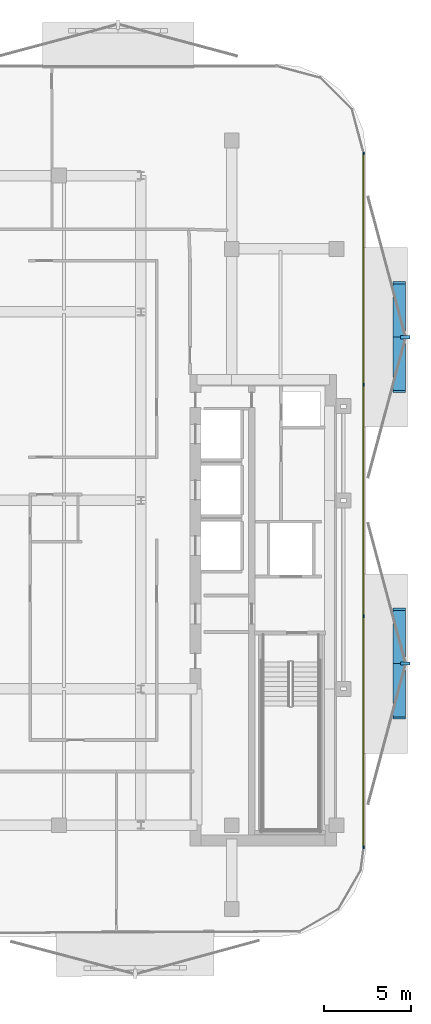
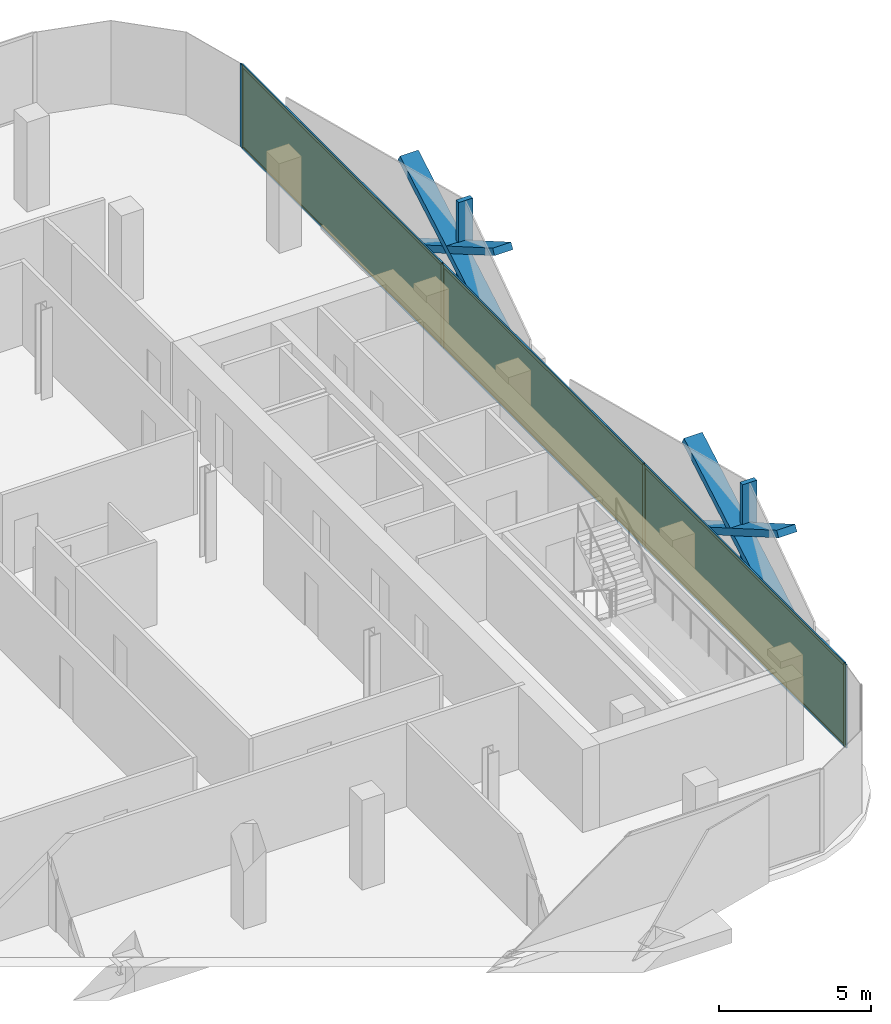
# One storey, part 9 of 14: 16 members, 3 plates, 1 curtain wall.
"""IFC4 building model written with IfcOpenShell, lengths in metres."""

from ifc_helpers import new_model, si_unit, direction, frame, frame_2d, origin, origin_2d, place, context, subcontext, project, spatial, rectangle, extrude, material, layer, layer_set, material_profile, profile_set, type_object, element, aggregate, save


model = new_model("IFC4")

# Units and contexts
model_context = context("Model", 3, precision=1e-05, world=origin(), true_north=direction((0.0, 1.0)))
body_context = subcontext(model_context, "Body", "Model", "MODEL_VIEW")
ifc_project = project(units=[si_unit("LENGTHUNIT", "METRE"), si_unit("AREAUNIT", "SQUARE_METRE"), si_unit("VOLUMEUNIT", "CUBIC_METRE"), si_unit("PLANEANGLEUNIT", "RADIAN"), si_unit("MASSUNIT", "GRAM", prefix="KILO")], contexts=[model_context])

# Member
ifc_material_1 = material(Name="Anodised Bronze Aluminium 6063-T6", Category="aluminium")
ifc_material_profile_1 = material_profile(ifc_material_1, rectangle(XDim=0.260009765625, YDim=0.699951171875, at=origin_2d()))
ifc_profile_set_1 = profile_set([ifc_material_profile_1], Name="Anodised Bronze Aluminium 6063-T6")
member_type_1 = type_object("IfcMemberType", Name="Bronze Diamond Solar-Screen Lattice Rib BDL-700", PredefinedType="MULLION", material=ifc_profile_set_1)
site_placement = place(None, origin())
building_placement = place(site_placement, origin())
storey_placement = place(building_placement, frame((0.0, 0.0, 236.800048828125)))
member_1_placement = place(storey_placement, frame((24.0, 12.46044921875, -0.130126953125), z_axis=(0.0, -0.865840250196, 0.500320558383), x_axis=(0.0, -0.500320558383, -0.865840250196)))
member_1 = element("IfcMember", 1, at=member_1_placement, type_object=member_type_1, Name="L55 Bronze Diamond Solar Screen Lattice Rib 375A", PredefinedType="MULLION", context=body_context, shape_type="SweptSolid", body=[
    extrude(rectangle(XDim=0.260009765625, YDim=0.699951171875, at=origin_2d()), origin(), (0.0, 0.0, 1.0), 7.195556640625),
])

member_2_placement = place(storey_placement, frame((24.0, 6.230224609375, -0.130126953125), z_axis=(0.0, 0.865840250196, 0.500320558383), x_axis=(0.0, 0.500320558383, -0.865840250196)))
member_2 = element("IfcMember", 2, at=member_2_placement, type_object=member_type_1, Name="L55 Bronze Diamond Solar Screen Lattice Rib 375B", PredefinedType="MULLION", context=body_context, shape_type="SweptSolid", body=[
    extrude(rectangle(XDim=0.260009765625, YDim=0.699951171875, at=origin_2d()), origin(), (0.0, 0.0, 1.0), 7.195556640625),
])

member_3_placement = place(storey_placement, frame((24.0, -6.230224609375, -0.130126953125), z_axis=(0.0, -0.865840250196, 0.500320558383), x_axis=(0.0, -0.500320558383, -0.865840250196)))
member_3 = element("IfcMember", 3, at=member_3_placement, type_object=member_type_1, Name="L55 Bronze Diamond Solar Screen Lattice Rib 376A", PredefinedType="MULLION", context=body_context, shape_type="SweptSolid", body=[
    extrude(rectangle(XDim=0.260009765625, YDim=0.699951171875, at=origin_2d()), origin(), (0.0, 0.0, 1.0), 7.195556640625),
])

member_4_placement = place(storey_placement, frame((24.0, -12.46044921875, -0.130126953125), z_axis=(0.0, 0.865840250196, 0.500320558383), x_axis=(0.0, 0.500320558383, -0.865840250196)))
member_4 = element("IfcMember", 4, at=member_4_placement, type_object=member_type_1, Name="L55 Bronze Diamond Solar Screen Lattice Rib 376B", PredefinedType="MULLION", context=body_context, shape_type="SweptSolid", body=[
    extrude(rectangle(XDim=0.260009765625, YDim=0.699951171875, at=origin_2d()), origin(), (0.0, 0.0, 1.0), 7.195556640625),
])

ifc_material_2 = material(Name="Anodised Bronze Aluminium 6063-T6", Category="aluminium")
ifc_material_profile_2 = material_profile(ifc_material_2, rectangle(XDim=0.179931640625, YDim=0.5400390625, at=origin_2d()))
ifc_profile_set_2 = profile_set([ifc_material_profile_2], Name="Anodised Bronze Aluminium 6063-T6")
member_type_2 = type_object("IfcMemberType", Name="Bronze Solar-Screen Vertical Fold Fin BSF-540", PredefinedType="MULLION", material=ifc_profile_set_2)
member_5_placement = place(storey_placement, frame((24.340087890625, 9.345458984375, -0.130126953125), z_axis=(0.0, 0.0, 1.0), x_axis=(0.0, -1.0, 0.0)))
member_5 = element("IfcMember", 5, at=member_5_placement, type_object=member_type_2, Name="L55 Bronze Solar Screen Vertical Fin 375", PredefinedType="MULLION", context=body_context, shape_type="SweptSolid", body=[
    extrude(rectangle(XDim=0.179931640625, YDim=0.5400390625, at=origin_2d()), origin(), (0.0, 0.0, 1.0), 3.60009765625),
])

member_6_placement = place(storey_placement, frame((24.340087890625, -9.345458984375, -0.130126953125), z_axis=(0.0, 0.0, 1.0), x_axis=(0.0, -1.0, 0.0)))
member_6 = element("IfcMember", 6, at=member_6_placement, type_object=member_type_2, Name="L55 Bronze Solar Screen Vertical Fin 376", PredefinedType="MULLION", context=body_context, shape_type="SweptSolid", body=[
    extrude(rectangle(XDim=0.179931640625, YDim=0.5400390625, at=origin_2d()), origin(), (0.0, 0.0, 1.0), 3.60009765625),
])

ifc_material_3 = material(Name="Anodised Bronze Aluminium 6063-T6", Category="aluminium")
ifc_material_profile_3 = material_profile(ifc_material_3, rectangle(XDim=0.06005859375, YDim=0.159912109375, at=origin_2d()))
ifc_profile_set_3 = profile_set([ifc_material_profile_3], Name="Anodised Bronze Aluminium 6063-T6")
member_type_3 = type_object("IfcMemberType", Name="CW-Z4 Mullion 60x160", PredefinedType="MULLION", material=ifc_profile_set_3)
member_7_placement = place(storey_placement, frame((21.9599609375, 19.86083984375, 0.0), z_axis=(0.0, 0.0, 1.0), x_axis=(1.0, 0.0, 0.0)))
member_7 = element("IfcMember", 7, at=member_7_placement, type_object=member_type_3, Name="CW-Z4 mullion 1", PredefinedType="MULLION", context=body_context, shape_type="SweptSolid", body=[
    extrude(rectangle(XDim=0.06005859375, YDim=0.159912109375, at=origin_2d()), origin(), (0.0, 0.0, 1.0), 3.33984375),
])

member_8_placement = place(storey_placement, frame((21.9599609375, 6.63037109375, 0.0), z_axis=(0.0, 0.0, 1.0), x_axis=(1.0, 0.0, 0.0)))
member_8 = element("IfcMember", 8, at=member_8_placement, type_object=member_type_3, Name="CW-Z4 mullion 2", PredefinedType="MULLION", context=body_context, shape_type="SweptSolid", body=[
    extrude(rectangle(XDim=0.06005859375, YDim=0.159912109375, at=origin_2d()), origin(), (0.0, 0.0, 1.0), 3.33984375),
])

member_9_placement = place(storey_placement, frame((21.9599609375, -6.63037109375, 0.0), z_axis=(0.0, 0.0, 1.0), x_axis=(1.0, 0.0, 0.0)))
member_9 = element("IfcMember", 9, at=member_9_placement, type_object=member_type_3, Name="CW-Z4 mullion 3", PredefinedType="MULLION", context=body_context, shape_type="SweptSolid", body=[
    extrude(rectangle(XDim=0.06005859375, YDim=0.159912109375, at=origin_2d()), origin(), (0.0, 0.0, 1.0), 3.33984375),
])

member_10_placement = place(storey_placement, frame((21.9599609375, -19.86083984375, 0.0), z_axis=(0.0, 0.0, 1.0), x_axis=(1.0, 0.0, 0.0)))
member_10 = element("IfcMember", 10, at=member_10_placement, type_object=member_type_3, Name="CW-Z4 mullion 4", PredefinedType="MULLION", context=body_context, shape_type="SweptSolid", body=[
    extrude(rectangle(XDim=0.06005859375, YDim=0.159912109375, at=origin_2d()), origin(), (0.0, 0.0, 1.0), 3.33984375),
])

ifc_material_4 = material(Name="Anodised Bronze Aluminium 6063-T6", Category="aluminium")
ifc_material_profile_4 = material_profile(ifc_material_4, rectangle(XDim=0.06005859375, YDim=0.125, at=origin_2d()))
ifc_profile_set_4 = profile_set([ifc_material_profile_4], Name="Anodised Bronze Aluminium 6063-T6")
member_type_4 = type_object("IfcMemberType", Name="CW-Z4 Transom 60x125", PredefinedType="USERDEFINED", material=ifc_profile_set_4)
member_11_placement = place(storey_placement, frame((21.9599609375, 19.830810546875, 0.030029296875), z_axis=(0.0, -1.0, 0.0), x_axis=(1.0, 0.0, 0.0)))
member_11 = element("IfcMember", 11, at=member_11_placement, type_object=member_type_4, Name="CW-Z4 transom 1.1", ObjectType="TRANSOM", PredefinedType="USERDEFINED", context=body_context, shape_type="SweptSolid", body=[
    extrude(rectangle(XDim=0.06005859375, YDim=0.125, at=origin_2d()), origin(), (0.0, 0.0, 1.0), 13.170654296875),
])

member_12_placement = place(storey_placement, frame((21.9599609375, 19.830810546875, 3.31005859375), z_axis=(0.0, -1.0, 0.0), x_axis=(1.0, 0.0, 0.0)))
member_12 = element("IfcMember", 12, at=member_12_placement, type_object=member_type_4, Name="CW-Z4 transom 1.2", ObjectType="TRANSOM", PredefinedType="USERDEFINED", context=body_context, shape_type="SweptSolid", body=[
    extrude(rectangle(XDim=0.06005859375, YDim=0.125, at=origin_2d()), origin(), (0.0, 0.0, 1.0), 13.170654296875),
])

member_13_placement = place(storey_placement, frame((21.9599609375, 6.600341796875, 0.030029296875), z_axis=(0.0, -1.0, 0.0), x_axis=(1.0, 0.0, 0.0)))
member_13 = element("IfcMember", 13, at=member_13_placement, type_object=member_type_4, Name="CW-Z4 transom 2.1", ObjectType="TRANSOM", PredefinedType="USERDEFINED", context=body_context, shape_type="SweptSolid", body=[
    extrude(rectangle(XDim=0.06005859375, YDim=0.125, at=origin_2d()), origin(), (0.0, 0.0, 1.0), 13.20068359375),
])

member_14_placement = place(storey_placement, frame((21.9599609375, 6.600341796875, 3.31005859375), z_axis=(0.0, -1.0, 0.0), x_axis=(1.0, 0.0, 0.0)))
member_14 = element("IfcMember", 14, at=member_14_placement, type_object=member_type_4, Name="CW-Z4 transom 2.2", ObjectType="TRANSOM", PredefinedType="USERDEFINED", context=body_context, shape_type="SweptSolid", body=[
    extrude(rectangle(XDim=0.06005859375, YDim=0.125, at=origin_2d()), origin(), (0.0, 0.0, 1.0), 13.20068359375),
])

member_15_placement = place(storey_placement, frame((21.9599609375, -6.66015625, 0.030029296875), z_axis=(0.0, -1.0, 0.0), x_axis=(1.0, 0.0, 0.0)))
member_15 = element("IfcMember", 15, at=member_15_placement, type_object=member_type_4, Name="CW-Z4 transom 3.1", ObjectType="TRANSOM", PredefinedType="USERDEFINED", context=body_context, shape_type="SweptSolid", body=[
    extrude(rectangle(XDim=0.06005859375, YDim=0.125, at=origin_2d()), origin(), (0.0, 0.0, 1.0), 13.170654296875),
])

member_16_placement = place(storey_placement, frame((21.9599609375, -6.66015625, 3.31005859375), z_axis=(0.0, -1.0, 0.0), x_axis=(1.0, 0.0, 0.0)))
member_16 = element("IfcMember", 16, at=member_16_placement, type_object=member_type_4, Name="CW-Z4 transom 3.2", ObjectType="TRANSOM", PredefinedType="USERDEFINED", context=body_context, shape_type="SweptSolid", body=[
    extrude(rectangle(XDim=0.06005859375, YDim=0.125, at=origin_2d()), origin(), (0.0, 0.0, 1.0), 13.170654296875),
])

# Plate
ifc_material_5 = material(Name="Low-E Solar Control Laminated Glass", Category="glass")
ifc_layer_1 = layer(ifc_material_5, 0.030029296875, Name="Low-E Solar Control Laminated Glass")
ifc_layer_set_1 = layer_set([ifc_layer_1], Name="Low-E Solar Control Laminated Glass")
plate_type = type_object("IfcPlateType", Name="CW-Z4 Low-E Double Glazed Panel 30mm", PredefinedType="CURTAIN_PANEL", material=ifc_layer_set_1)
plate_1_placement = place(storey_placement, frame((21.9599609375, 13.24560546875, 0.06005859375), z_axis=(0.0, 0.0, 1.0), x_axis=(0.0, -1.0, 0.0)))
plate_1 = element("IfcPlate", 17, at=plate_1_placement, type_object=plate_type, Name="CW-Z4 panel 1.1", PredefinedType="CURTAIN_PANEL", context=body_context, shape_type="SweptSolid", body=[
    extrude(rectangle(XDim=13.170654296875, YDim=0.030029296875, at=origin_2d()), origin(), (0.0, 0.0, 1.0), 3.219970703125),
])

plate_2_placement = place(storey_placement, frame((21.9599609375, 0.0, 0.06005859375), z_axis=(0.0, 0.0, 1.0), x_axis=(0.0, -1.0, 0.0)))
plate_2 = element("IfcPlate", 18, at=plate_2_placement, type_object=plate_type, Name="CW-Z4 panel 2.1", PredefinedType="CURTAIN_PANEL", context=body_context, shape_type="SweptSolid", body=[
    extrude(rectangle(XDim=13.200439453125, YDim=0.030029296875, at=origin_2d()), origin(), (0.0, 0.0, 1.0), 3.219970703125),
])

plate_3_placement = place(storey_placement, frame((21.9599609375, -13.24560546875, 0.06005859375), z_axis=(0.0, 0.0, 1.0), x_axis=(0.0, -1.0, 0.0)))
plate_3 = element("IfcPlate", 19, at=plate_3_placement, type_object=plate_type, Name="CW-Z4 panel 3.1", PredefinedType="CURTAIN_PANEL", context=body_context, shape_type="SweptSolid", body=[
    extrude(rectangle(XDim=13.170654296875, YDim=0.030029296875, at=origin_2d()), origin(), (0.0, 0.0, 1.0), 3.219970703125),
])

# Site, building, storey
site = spatial("IfcSite", under=ifc_project, at=site_placement, CompositionType="ELEMENT")
building = spatial("IfcBuilding", under=site, at=building_placement, Name="Khairoan Windgate Tower", CompositionType="ELEMENT")
storey = spatial("IfcBuildingStorey", under=building, at=storey_placement, Name="L55", CompositionType="ELEMENT", Elevation=236.800048828125)

# Curtain wall
ifc_material_6 = material(Name="Anodised Bronze Aluminium 6063-T6", Category="aluminium")
ifc_layer_2 = layer(ifc_material_6, 0.159912109375, Name="Anodised Bronze Aluminium 6063-T6")
ifc_layer_set_2 = layer_set([ifc_layer_2], Name="Anodised Bronze Aluminium 6063-T6")
curtain_wall_type = type_object("IfcCurtainWallType", Name="Sky Residence Unitised Curtain Wall CW-Z4", PredefinedType="NOTDEFINED", material=ifc_layer_set_2)
curtain_wall_placement = place(storey_placement, frame((21.9599609375, 19.890869140625, 0.0), z_axis=(0.0, 0.0, 1.0), x_axis=(0.0, -1.0, 0.0)))
curtain_wall = element("IfcCurtainWall", 20, at=curtain_wall_placement, inside=storey, type_object=curtain_wall_type, Name="L55 Unitised Curtain Wall 13", PredefinedType="NOTDEFINED", context=body_context, shape_type="SweptSolid", body=[
    extrude(rectangle(XDim=39.78173828125, YDim=0.010009765625, at=frame_2d((19.890869140625, 0.0))), origin(), (0.0, 0.0, 1.0), 3.33984375),
])

aggregate(curtain_wall, [member_7, member_8, member_9, member_10, member_11, member_12, plate_1, member_13, member_14, plate_2, member_15, member_16, plate_3, member_1, member_2, member_5, member_3, member_4, member_6])

save(model, "model.ifc")
